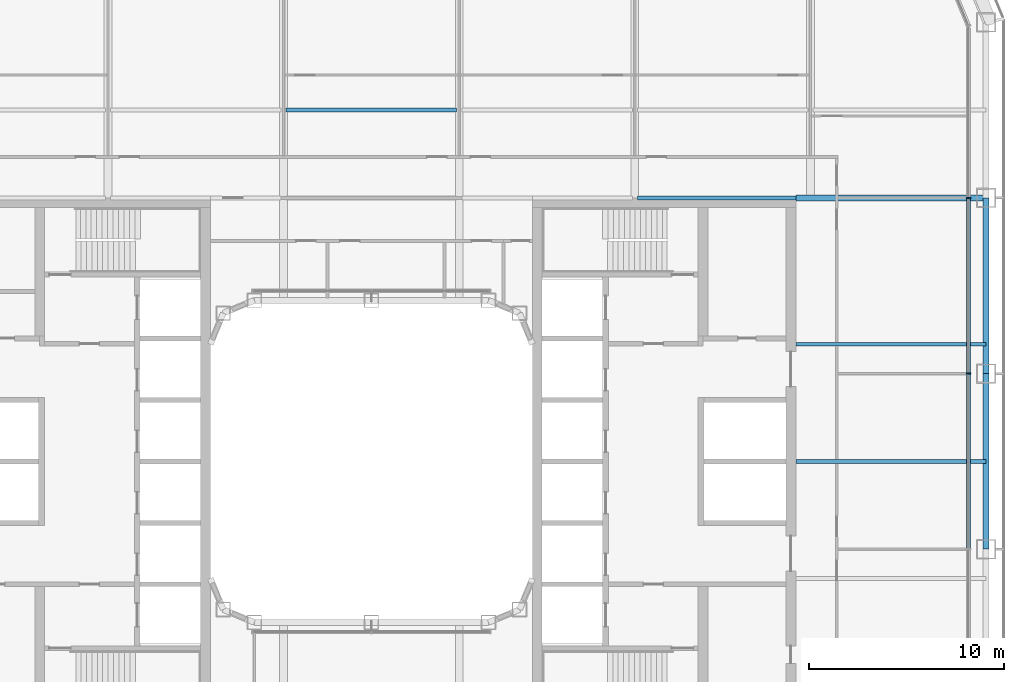
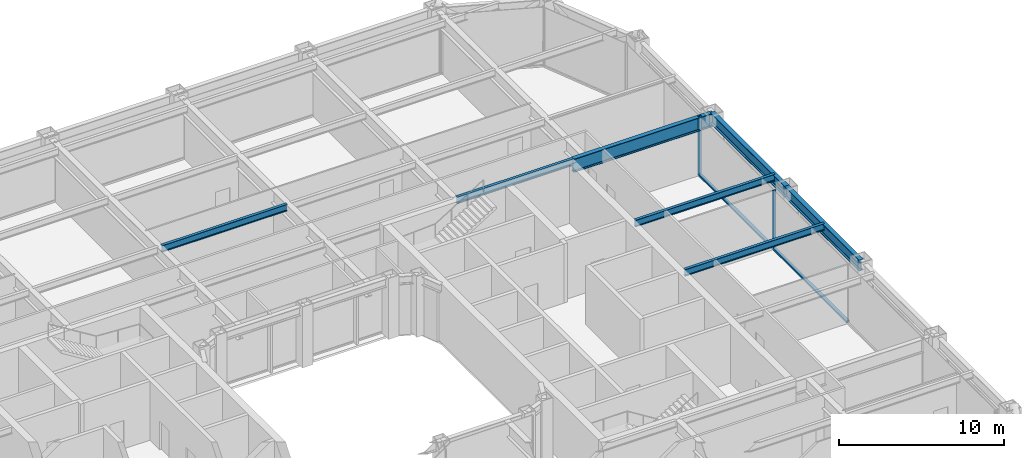
# One storey, part 9 of 25: 7 beams, 4 members, 1 element without a shape of its own.
"""IFC4 building model written with IfcOpenShell, lengths in metres."""

from ifc_helpers import new_model, si_unit, direction, frame, origin, origin_2d, place, context, subcontext, project, spatial, rectangle, i_section, extrude, material, layer, layer_set, material_profile, profile_set, type_object, element, aggregate, save


model = new_model("IFC4")

# Units and contexts
model_context = context("Model", 3, precision=1e-05, world=origin(), true_north=direction((0.0, 1.0)))
body_context = subcontext(model_context, "Body", "Model", "MODEL_VIEW")
ifc_project = project(units=[si_unit("LENGTHUNIT", "METRE"), si_unit("AREAUNIT", "SQUARE_METRE"), si_unit("VOLUMEUNIT", "CUBIC_METRE"), si_unit("PLANEANGLEUNIT", "RADIAN"), si_unit("MASSUNIT", "GRAM", prefix="KILO")], contexts=[model_context])

# Site, building, storey
site_placement = place(None, origin())
site = spatial("IfcSite", under=ifc_project, at=site_placement, CompositionType="ELEMENT")
building_placement = place(site_placement, origin())
building = spatial("IfcBuilding", under=site, at=building_placement, Name="Siwar Civic Tower", CompositionType="ELEMENT")
storey_placement = place(building_placement, frame((0.0, 0.0, 58.199951171875)))
storey = spatial("IfcBuildingStorey", under=building, at=storey_placement, Name="L12", CompositionType="ELEMENT", Elevation=58.199951171875)

# Curtain wall, members
ifc_material_1 = material(Name="Aluminium and glass", Category="aluminium")
ifc_layer = layer(ifc_material_1, 0.219970703125)
ifc_layer_set = layer_set([ifc_layer], Name="Aluminium and glass")
curtain_wall_type = type_object("IfcCurtainWallType", Name="ENV-CW-A", PredefinedType="NOTDEFINED", material=ifc_layer_set)
curtain_wall_placement = place(storey_placement, origin())
curtain_wall = element("IfcCurtainWall", 1, at=curtain_wall_placement, inside=storey, type_object=curtain_wall_type, Name="Curtain wall A E", PredefinedType="NOTDEFINED")
ifc_material_2 = material(Name="Aluminium 6063-T6", Category="aluminium")
ifc_material_profile_1 = material_profile(ifc_material_2, rectangle(XDim=0.219970703125, YDim=0.070068359375, at=origin_2d()), Name="AL 220x70")
ifc_profile_set_1 = profile_set([ifc_material_profile_1], Name="Aluminium 6063-T6")
member_type_1 = type_object("IfcMemberType", Name="ENV-MULLION-A", PredefinedType="MULLION", material=ifc_profile_set_1)
member_1_placement = place(storey_placement, frame((30.60009765625, 4.5, 0.0), z_axis=(0.0, 0.0, 1.0), x_axis=(-1.0, 0.0, 0.0)))
member_1 = element("IfcMember", 2, at=member_1_placement, type_object=member_type_1, Name="Mullion A E 4", PredefinedType="MULLION", context=body_context, shape_type="SweptSolid", body=[
    extrude(rectangle(XDim=0.219970703125, YDim=0.070068359375, at=origin_2d()), origin(), (0.0, 0.0, 1.0), 4.35009765625),
])
member_2_placement = place(storey_placement, frame((30.60009765625, 13.5, 0.0), z_axis=(0.0, 0.0, 1.0), x_axis=(-1.0, 0.0, 0.0)))
member_2 = element("IfcMember", 3, at=member_2_placement, type_object=member_type_1, Name="Mullion A E 5", PredefinedType="MULLION", context=body_context, shape_type="SweptSolid", body=[
    extrude(rectangle(XDim=0.219970703125, YDim=0.070068359375, at=origin_2d()), origin(), (0.0, 0.0, 1.0), 4.35009765625),
])
ifc_material_3 = material(Name="Aluminium 6063-T6", Category="aluminium")
ifc_material_profile_2 = material_profile(ifc_material_3, rectangle(XDim=0.219970703125, YDim=0.1201171875, at=origin_2d()), Name="AL 220x120")
ifc_profile_set_2 = profile_set([ifc_material_profile_2], Name="Aluminium 6063-T6")
member_type_2 = type_object("IfcMemberType", Name="ENV-TRANSOM-A", PredefinedType="USERDEFINED", material=ifc_profile_set_2)
member_3_placement = place(storey_placement, frame((30.60009765625, -4.465087890625, 0.06005859375), z_axis=(0.0, 1.0, 0.0), x_axis=(-1.0, 0.0, 0.0)))
member_3 = element("IfcMember", 4, at=member_3_placement, type_object=member_type_2, Name="Transom A E 3", ObjectType="TRANSOM", PredefinedType="USERDEFINED", context=body_context, shape_type="SweptSolid", body=[
    extrude(rectangle(XDim=0.219970703125, YDim=0.1201171875, at=origin_2d()), origin(), (0.0, 0.0, 1.0), 8.93017578125),
])
member_4_placement = place(storey_placement, frame((30.60009765625, 4.534912109375, 0.06005859375), z_axis=(0.0, 1.0, 0.0), x_axis=(-1.0, 0.0, 0.0)))
member_4 = element("IfcMember", 5, at=member_4_placement, type_object=member_type_2, Name="Transom A E 4", ObjectType="TRANSOM", PredefinedType="USERDEFINED", context=body_context, shape_type="SweptSolid", body=[
    extrude(rectangle(XDim=0.219970703125, YDim=0.1201171875, at=origin_2d()), origin(), (0.0, 0.0, 1.0), 8.93017578125),
])
aggregate(curtain_wall, [member_1, member_2, member_3, member_4])

# Beams
ifc_material_4 = material(Name="Steel S355", Category="steel")
ifc_material_profile_3 = material_profile(ifc_material_4, i_section(OverallWidth=0.199951171875, OverallDepth=0.5, WebThickness=0.01025390625, FlangeThickness=0.01611328125, FilletRadius=0.02099609375, at=origin_2d()), Name="IPE500")
ifc_profile_set_3 = profile_set([ifc_material_profile_3], Name="Steel S355")
beam_type_1 = type_object("IfcBeamType", Name="STR-FB-IPE500", PredefinedType="JOIST", material=ifc_profile_set_3)
for number, where, z_axis, x_axis, name in (
    (6, (21.75, 0.0, 4.10009765625), (1.0, 0.0, 0.0), (0.0, 1.0, 0.0), "L12/bm/F034"),
    (7, (21.75, 6.0, 4.10009765625), (1.0, 0.0, 0.0), (0.0, 1.0, 0.0), "L12/bm/F036"),
):
    element("IfcBeam", number, at=place(storey_placement, frame(where, z_axis=z_axis, x_axis=x_axis)), inside=storey, type_object=beam_type_1, Name=name, PredefinedType="JOIST", context=body_context, shape_type="SweptSolid", body=[
        extrude(i_section(OverallWidth=0.199951171875, OverallDepth=0.5, WebThickness=0.01025390625, FlangeThickness=0.01611328125, FilletRadius=0.02099609375, at=origin_2d()), origin(), (0.0, 0.0, 1.0), 9.75),
    ])
beam_1_placement = place(storey_placement, frame((13.6298828125, 13.5, 4.10009765625), z_axis=(1.0, 0.0, 0.0), x_axis=(0.0, 1.0, 0.0)))
element("IfcBeam", 8, at=beam_1_placement, inside=storey, type_object=beam_type_1, Name="L12/bm/F044", PredefinedType="JOIST", context=body_context, shape_type="SweptSolid", body=[
    extrude(i_section(OverallWidth=0.199951171875, OverallDepth=0.5, WebThickness=0.01025390625, FlangeThickness=0.01611328125, FilletRadius=0.02099609375, at=origin_2d()), origin(), (0.0, 0.0, 1.0), 8.1201171875),
])
beam_2_placement = place(storey_placement, frame((-4.3701171875, 18.0, 4.10009765625), z_axis=(1.0, 0.0, 0.0), x_axis=(0.0, 1.0, 0.0)))
element("IfcBeam", 9, at=beam_2_placement, inside=storey, type_object=beam_type_1, Name="L12/bm/F049", PredefinedType="JOIST", context=body_context, shape_type="SweptSolid", body=[
    extrude(i_section(OverallWidth=0.199951171875, OverallDepth=0.5, WebThickness=0.01025390625, FlangeThickness=0.01611328125, FilletRadius=0.02099609375, at=origin_2d()), origin(), (0.0, 0.0, 1.0), 8.740234375),
])
ifc_material_5 = material(Name="Steel S355", Category="steel")
ifc_material_profile_4 = material_profile(ifc_material_5, i_section(OverallWidth=0.300048828125, OverallDepth=1.0, WebThickness=0.01904296875, FlangeThickness=0.035888671875, FilletRadius=0.030029296875, at=origin_2d()), Name="HEB1000")
ifc_profile_set_4 = profile_set([ifc_material_profile_4], Name="Steel S355")
beam_type_2 = type_object("IfcBeamType", Name="STR-PG-HEB1000", PredefinedType="BEAM", material=ifc_profile_set_4)
beam_3_placement = place(storey_placement, frame((21.75, 13.5, 3.85009765625), z_axis=(1.0, 0.0, 0.0), x_axis=(0.0, 1.0, 0.0)))
element("IfcBeam", 10, at=beam_3_placement, inside=storey, type_object=beam_type_2, Name="L12/bm/F045", PredefinedType="BEAM", context=body_context, shape_type="SweptSolid", body=[
    extrude(i_section(OverallWidth=0.300048828125, OverallDepth=1.0, WebThickness=0.01904296875, FlangeThickness=0.035888671875, FilletRadius=0.030029296875, at=origin_2d()), origin(), (0.0, 0.0, 1.0), 9.75),
])
ifc_material_6 = material(Name="Steel S355", Category="steel")
ifc_material_profile_5 = material_profile(ifc_material_6, i_section(OverallWidth=0.302978515625, OverallDepth=0.81396484375, WebThickness=0.02099609375, FlangeThickness=0.0400390625, FilletRadius=0.030029296875, at=origin_2d()), Name="HEM800")
ifc_profile_set_5 = profile_set([ifc_material_profile_5], Name="Steel S355")
beam_type_3 = type_object("IfcBeamType", Name="STR-SB-HEM800", PredefinedType="BEAM", material=ifc_profile_set_5)
for number, where, z_axis, x_axis, name in (
    (11, (31.5, -4.5, 3.943115234375), (0.0, 1.0, 0.0), (-1.0, 0.0, 0.0), "L12/bm/SE-2"),
    (12, (31.5, 4.5, 3.943115234375), (0.0, 1.0, 0.0), (-1.0, 0.0, 0.0), "L12/bm/SE-3"),
):
    element("IfcBeam", number, at=place(storey_placement, frame(where, z_axis=z_axis, x_axis=x_axis)), inside=storey, type_object=beam_type_3, Name=name, PredefinedType="BEAM", context=body_context, shape_type="SweptSolid", body=[
        extrude(i_section(OverallWidth=0.302978515625, OverallDepth=0.81396484375, WebThickness=0.02099609375, FlangeThickness=0.0400390625, FilletRadius=0.030029296875, at=origin_2d()), origin(), (0.0, 0.0, 1.0), 9.0),
    ])

save(model, "model.ifc")
